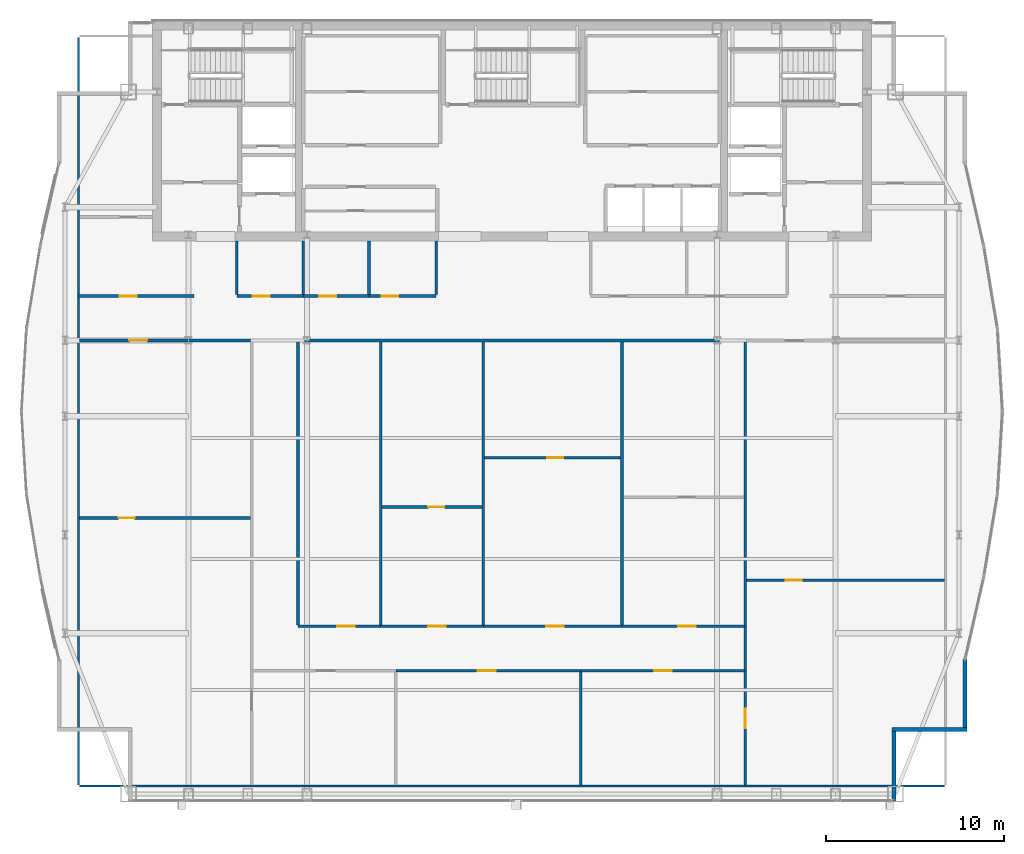
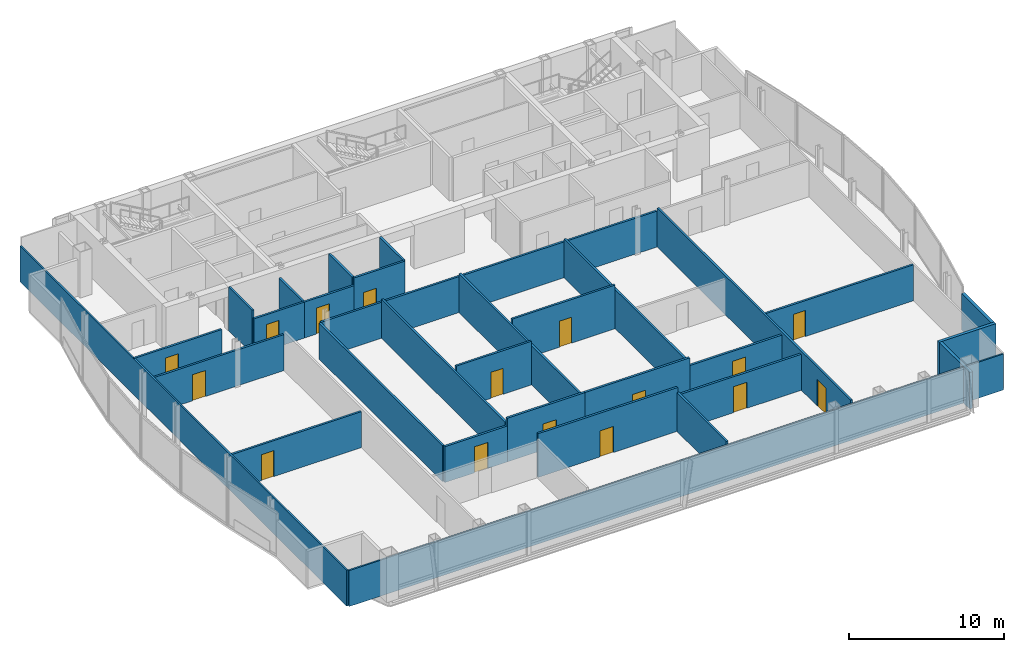
# One storey, part 24 of 29: 31 walls, 16 doors, 16 openings.
"""IFC4 building model written with IfcOpenShell, lengths in metres."""

from ifc_helpers import new_model, si_unit, direction, frame, frame_2d, origin, place, context, subcontext, project, spatial, rectangle, extrude, material, layer, layer_set, type_object, element, fill, save


model = new_model("IFC4")

# Units and contexts
model_context = context("Model", 3, precision=1e-05, world=origin(), true_north=direction((0.0, 1.0)))
body_context = subcontext(model_context, "Body", "Model", "MODEL_VIEW")
ifc_project = project(units=[si_unit("LENGTHUNIT", "METRE"), si_unit("AREAUNIT", "SQUARE_METRE"), si_unit("VOLUMEUNIT", "CUBIC_METRE"), si_unit("PLANEANGLEUNIT", "RADIAN"), si_unit("MASSUNIT", "GRAM", prefix="KILO")], contexts=[model_context])

# Site, building, storey
site_placement = place(None, origin())
site = spatial("IfcSite", under=ifc_project, at=site_placement, CompositionType="ELEMENT")
building_placement = place(site_placement, origin())
building = spatial("IfcBuilding", under=site, at=building_placement, Name="Khoronbel Lancet Exchange", CompositionType="ELEMENT")
storey_placement = place(building_placement, frame((0.0, 0.0, 318.199951171875)))
storey = spatial("IfcBuildingStorey", under=building, at=storey_placement, Name="L82", CompositionType="ELEMENT", Elevation=318.199951171875)

# Walls
ifc_material_1 = material(Name="Precast concrete C40/50", Category="concrete")
ifc_layer_1 = layer(ifc_material_1, 0.25, Name="Precast concrete C40/50")
ifc_layer_set_1 = layer_set([ifc_layer_1], Name="Precast concrete C40/50")
wall_type_1 = type_object("IfcWallType", Name="WL-EXT250", PredefinedType="SOLIDWALL", material=ifc_layer_set_1)
wall_1_placement = place(storey_placement, frame((61.9599609375, 17.72998046875, 0.0), z_axis=(0.0, 0.0, 1.0), x_axis=(0.0, -1.0, 0.0)))
element("IfcWall", 1, at=wall_1_placement, inside=storey, type_object=wall_type_1, Name="Level L82 notched-corner limestone pier 23", PredefinedType="SOLIDWALL", context=body_context, shape_type="SweptSolid", body=[
    extrude(rectangle(XDim=3.830078125, YDim=0.219970703125, at=frame_2d((1.9150390625, 0.0))), origin(), (0.0, 0.0, 1.0), 2.880126953125),
])
wall_2_placement = place(storey_placement, frame((62.070068359375, 13.7900390625, 0.0), z_axis=(0.0, 0.0, 1.0), x_axis=(-1.0, 0.0, 0.0)))
element("IfcWall", 2, at=wall_2_placement, inside=storey, type_object=wall_type_1, Name="Level L82 notched-corner limestone pier 24", PredefinedType="SOLIDWALL", context=body_context, shape_type="SweptSolid", body=[
    extrude(rectangle(XDim=4.219970703125, YDim=0.219970703125, at=frame_2d((2.10986328125, 0.0))), origin(), (0.0, 0.0, 1.0), 2.880126953125),
])
wall_3_placement = place(storey_placement, frame((57.9599609375, 13.679931640625, 0.0), z_axis=(0.0, 0.0, 1.0), x_axis=(0.0, -1.0, 0.0)))
element("IfcWall", 3, at=wall_3_placement, inside=storey, type_object=wall_type_1, Name="Level L82 notched-corner limestone pier 25", PredefinedType="SOLIDWALL", context=body_context, shape_type="SweptSolid", body=[
    extrude(rectangle(XDim=3.909912109375, YDim=0.219970703125, at=frame_2d((1.955078125, 0.0))), origin(), (0.0, 0.0, 1.0), 2.880126953125),
])
ifc_material_2 = material(Name="Acoustic Metal-Stud & Mineral-Wool Gypsum Partition 120 mm", Category="gypsum")
ifc_layer_2 = layer(ifc_material_2, 0.1201171875, Name="Acoustic Metal-Stud & Mineral-Wool Gypsum Partition 120 mm")
ifc_layer_set_2 = layer_set([ifc_layer_2], Name="Acoustic Metal-Stud & Mineral-Wool Gypsum Partition 120 mm")
wall_type_2 = type_object("IfcWallType", Name="WL-PRT120", PredefinedType="PARTITIONING", material=ifc_layer_set_2)
wall_4_placement = place(storey_placement, frame((20.949951171875, 38.280029296875, 0.0), z_axis=(0.0, 0.0, 1.0), x_axis=(0.0, 1.0, 0.0)))
element("IfcWall", 4, at=wall_4_placement, inside=storey, type_object=wall_type_2, Name="Level L82 interior partition PW-WC-0", PredefinedType="PARTITIONING", context=body_context, shape_type="SweptSolid", body=[
    extrude(rectangle(XDim=3.02001953125, YDim=0.14990234375, at=frame_2d((1.510009765625, 0.0))), origin(), (0.0, 0.0, 1.0), 3.43994140625),
])
wall_5_placement = place(storey_placement, frame((24.699951171875, 38.280029296875, 0.0), z_axis=(0.0, 0.0, 1.0), x_axis=(0.0, 1.0, 0.0)))
element("IfcWall", 5, at=wall_5_placement, inside=storey, type_object=wall_type_2, Name="Level L82 interior partition PW-WC-1", PredefinedType="PARTITIONING", context=body_context, shape_type="SweptSolid", body=[
    extrude(rectangle(XDim=3.02001953125, YDim=0.14990234375, at=frame_2d((1.510009765625, 0.0))), origin(), (0.0, 0.0, 1.0), 2.830078125),
])
for number, where, z_axis, x_axis, name in (
    (6, (28.39990234375, 38.280029296875, 0.0), (0.0, 0.0, 1.0), (0.0, 1.0, 0.0), "Level L82 interior partition PW-WC-2"),
    (7, (32.179931640625, 38.280029296875, 0.0), (0.0, 0.0, 1.0), (0.0, 1.0, 0.0), "Level L82 interior partition PW-WC-3"),
):
    element("IfcWall", number, at=place(storey_placement, frame(where, z_axis=z_axis, x_axis=x_axis)), inside=storey, type_object=wall_type_2, Name=name, PredefinedType="PARTITIONING", context=body_context, shape_type="SweptSolid", body=[
        extrude(rectangle(XDim=3.02001953125, YDim=0.14990234375, at=frame_2d((1.510009765625, 0.0))), origin(), (0.0, 0.0, 1.0), 3.43994140625),
    ])

# Wall, opening, door
wall_6_placement = place(storey_placement, frame((12.094970703125, 25.699951171875, 0.0), z_axis=(0.0, 0.0, 1.0), x_axis=(1.0, 0.0, 0.0)))
wall_6 = element("IfcWall", 8, at=wall_6_placement, inside=storey, type_object=wall_type_2, Name="Level L82 interior partition PW-Z4-WH", PredefinedType="PARTITIONING", context=body_context, shape_type="SweptSolid", body=[
    extrude(rectangle(XDim=9.625, YDim=0.14990234375, at=frame_2d((4.8125, 0.0))), origin(), (0.0, 0.0, 1.0), 2.830078125),
])
opening_1_placement = place(wall_6_placement, frame((2.199951171875, 0.0, 0.0)))
opening_1 = element("IfcOpeningElement", 9, at=opening_1_placement, cuts=wall_6, Name="Opening D5", PredefinedType="OPENING", context=body_context, shape_type="SweptSolid", body=[
    extrude(rectangle(XDim=0.89990234375, YDim=2.050048828125, at=frame_2d((0.449951171875, 1.02490234375))), frame((0.0, 0.0849609375, 0.0), z_axis=(0.0, -1.0, 0.0), x_axis=(1.0, 0.0, 0.0)), (0.0, 0.0, 1.0), 0.169921875),
])
ifc_material_3 = material(Name="Acoustic Timber Pantry & Support Door", Category="wood")
door_type_1 = type_object("IfcDoorType", Name="DR-D5", OperationType="NOTDEFINED", PredefinedType="DOOR", material=ifc_material_3)
door_1_placement = place(opening_1_placement, origin())
door_1 = element("IfcDoor", 10, at=door_1_placement, inside=storey, type_object=door_type_1, Name="West lens inner door L82-1", OperationType="SINGLE_SWING_LEFT", OverallHeight=2.050048828125, OverallWidth=0.89990234375, PredefinedType="DOOR", context=body_context, shape_type="SweptSolid", body=[
    extrude(rectangle(XDim=0.89990234375, YDim=2.050048828125, at=frame_2d((0.449951171875, 1.02490234375))), frame((0.0, 0.02490234375, 0.0), z_axis=(0.0, -1.0, 0.0), x_axis=(1.0, 0.0, 0.0)), (0.0, 0.0, 1.0), 0.050048828125),
])
fill(opening_1, door_1)

wall_7_placement = place(storey_placement, frame((49.659912109375, 22.199951171875, 0.0), z_axis=(0.0, 0.0, 1.0), x_axis=(1.0, 0.0, 0.0)))
wall_7 = element("IfcWall", 11, at=wall_7_placement, inside=storey, type_object=wall_type_2, Name="Level L82 interior partition PW-Z4-EH", PredefinedType="PARTITIONING", context=body_context, shape_type="SweptSolid", body=[
    extrude(rectangle(XDim=11.14501953125, YDim=0.14990234375, at=frame_2d((5.572509765625, 0.0))), origin(), (0.0, 0.0, 1.0), 2.830078125),
])
opening_2_placement = place(wall_7_placement, frame((2.199951171875, 0.0, 0.0)))
opening_2 = element("IfcOpeningElement", 12, at=opening_2_placement, cuts=wall_7, Name="Opening D5", PredefinedType="OPENING", context=body_context, shape_type="SweptSolid", body=[
    extrude(rectangle(XDim=0.89990234375, YDim=2.050048828125, at=frame_2d((0.449951171875, 1.02490234375))), frame((0.0, 0.0849609375, 0.0), z_axis=(0.0, -1.0, 0.0), x_axis=(1.0, 0.0, 0.0)), (0.0, 0.0, 1.0), 0.169921875),
])
door_2_placement = place(opening_2_placement, origin())
door_2 = element("IfcDoor", 13, at=door_2_placement, inside=storey, type_object=door_type_1, Name="East lens inner door L82-1", OperationType="SINGLE_SWING_RIGHT", OverallHeight=2.050048828125, OverallWidth=0.89990234375, PredefinedType="DOOR", context=body_context, shape_type="SweptSolid", body=[
    extrude(rectangle(XDim=0.89990234375, YDim=2.050048828125, at=frame_2d((0.449951171875, 1.02490234375))), frame((0.0, 0.02490234375, 0.0), z_axis=(0.0, -1.0, 0.0), x_axis=(1.0, 0.0, 0.0)), (0.0, 0.0, 1.0), 0.050048828125),
])
fill(opening_2, door_2)

wall_8_placement = place(storey_placement, frame((29.13623046875, 26.317138671875, 0.0), z_axis=(0.0, 0.0, 1.0), x_axis=(1.0, 0.0, 0.0)))
wall_8 = element("IfcWall", 14, at=wall_8_placement, inside=storey, type_object=wall_type_2, Name="Level L82 interior partition PW-Z4C-H2", PredefinedType="PARTITIONING", context=body_context, shape_type="SweptSolid", body=[
    extrude(rectangle(XDim=5.615234375, YDim=0.14990234375, at=frame_2d((2.8076171875, 0.0))), origin(), (0.0, 0.0, 1.0), 3.43994140625),
])
opening_3_placement = place(wall_8_placement, frame((2.598876953125, 0.0, 0.0)))
opening_3 = element("IfcOpeningElement", 15, at=opening_3_placement, cuts=wall_8, Name="Opening D5", PredefinedType="OPENING", context=body_context, shape_type="SweptSolid", body=[
    extrude(rectangle(XDim=0.89990234375, YDim=2.050048828125, at=frame_2d((0.449951171875, 1.02490234375))), frame((0.0, 0.0849609375, 0.0), z_axis=(0.0, -1.0, 0.0), x_axis=(1.0, 0.0, 0.0)), (0.0, 0.0, 1.0), 0.169921875),
])
door_3_placement = place(opening_3_placement, origin())
door_3 = element("IfcDoor", 16, at=door_3_placement, inside=storey, type_object=door_type_1, Name="Z4C inner door 2 L82-1", OperationType="SINGLE_SWING_LEFT", OverallHeight=2.050048828125, OverallWidth=0.89990234375, PredefinedType="DOOR", context=body_context, shape_type="SweptSolid", body=[
    extrude(rectangle(XDim=0.89990234375, YDim=2.050048828125, at=frame_2d((0.449951171875, 1.02490234375))), frame((0.0, 0.02490234375, 0.0), z_axis=(0.0, -1.0, 0.0), x_axis=(1.0, 0.0, 0.0)), (0.0, 0.0, 1.0), 0.050048828125),
])
fill(opening_3, door_3)

wall_9_placement = place(storey_placement, frame((34.91162109375, 29.090087890625, 0.0), z_axis=(0.0, 0.0, 1.0), x_axis=(1.0, 0.0, 0.0)))
wall_9 = element("IfcWall", 17, at=wall_9_placement, inside=storey, type_object=wall_type_2, Name="Level L82 interior partition PW-Z4C-H3", PredefinedType="PARTITIONING", context=body_context, shape_type="SweptSolid", body=[
    extrude(rectangle(XDim=7.657958984375, YDim=0.14990234375, at=frame_2d((3.8291015625, 0.0))), origin(), (0.0, 0.0, 1.0), 3.43994140625),
])
opening_4_placement = place(wall_9_placement, frame((3.518310546875, 0.0, 0.0)))
opening_4 = element("IfcOpeningElement", 18, at=opening_4_placement, cuts=wall_9, Name="Opening D5", PredefinedType="OPENING", context=body_context, shape_type="SweptSolid", body=[
    extrude(rectangle(XDim=0.89990234375, YDim=2.050048828125, at=frame_2d((0.449951171875, 1.02490234375))), frame((0.0, 0.0849609375, 0.0), z_axis=(0.0, -1.0, 0.0), x_axis=(1.0, 0.0, 0.0)), (0.0, 0.0, 1.0), 0.169921875),
])
door_4_placement = place(opening_4_placement, origin())
door_4 = element("IfcDoor", 19, at=door_4_placement, inside=storey, type_object=door_type_1, Name="Z4C inner door 3 L82-1", OperationType="SINGLE_SWING_LEFT", OverallHeight=2.050048828125, OverallWidth=0.89990234375, PredefinedType="DOOR", context=body_context, shape_type="SweptSolid", body=[
    extrude(rectangle(XDim=0.89990234375, YDim=2.050048828125, at=frame_2d((0.449951171875, 1.02490234375))), frame((0.0, 0.02490234375, 0.0), z_axis=(0.0, -1.0, 0.0), x_axis=(1.0, 0.0, 0.0)), (0.0, 0.0, 1.0), 0.050048828125),
])
fill(opening_4, door_4)

# Walls
wall_10_placement = place(storey_placement, frame((12.030029296875, 10.6650390625, 0.0), z_axis=(0.0, 0.0, 1.0), x_axis=(0.0, 1.0, 0.0)))
element("IfcWall", 20, at=wall_10_placement, inside=storey, type_object=wall_type_2, Name="Level L82 interior partition PW-LIN-W", PredefinedType="PARTITIONING", context=body_context, shape_type="SweptSolid", body=[
    extrude(rectangle(XDim=42.10986328125, YDim=0.1201171875, at=frame_2d((21.054931640625, 0.0))), origin(), (0.0, 0.0, 1.0), 2.830078125),
])
wall_11_placement = place(storey_placement, frame((12.094970703125, 10.60009765625, 0.0), z_axis=(0.0, 0.0, 1.0), x_axis=(1.0, 0.0, 0.0)))
element("IfcWall", 21, at=wall_11_placement, inside=storey, type_object=wall_type_2, Name="Level L82 interior partition PW-LIN-S", PredefinedType="PARTITIONING", context=body_context, shape_type="SweptSolid", body=[
    extrude(rectangle(XDim=48.7099609375, YDim=0.1201171875, at=frame_2d((24.35498046875, 0.0))), origin(), (0.0, 0.0, 1.0), 2.830078125),
])

# Wall, opening, door
ifc_material_4 = material(Name="Fire-Rated Twin-Stud Acoustic Gypsum Partition 150 mm", Category="gypsum")
ifc_layer_3 = layer(ifc_material_4, 0.14990234375, Name="Fire-Rated Twin-Stud Acoustic Gypsum Partition 150 mm")
ifc_layer_set_3 = layer_set([ifc_layer_3], Name="Fire-Rated Twin-Stud Acoustic Gypsum Partition 150 mm")
wall_type_3 = type_object("IfcWallType", Name="WL-PRT150C", PredefinedType="PARTITIONING", material=ifc_layer_set_3)
wall_12_placement = place(storey_placement, frame((20.949951171875, 38.199951171875, 0.0), z_axis=(0.0, 0.0, 1.0), x_axis=(1.0, 0.0, 0.0)))
wall_12 = element("IfcWall", 22, at=wall_12_placement, inside=storey, type_object=wall_type_3, Name="Level L82 interior partition PW-WC-S1", PredefinedType="PARTITIONING", context=body_context, shape_type="SweptSolid", body=[
    extrude(rectangle(XDim=3.75, YDim=0.14990234375, at=frame_2d((1.875, 0.0))), origin(), (0.0, 0.0, 1.0), 2.830078125),
])
opening_5_placement = place(wall_12_placement, frame((0.89990234375, 0.0, 0.0)))
opening_5 = element("IfcOpeningElement", 23, at=opening_5_placement, cuts=wall_12, Name="Opening D4", PredefinedType="OPENING", context=body_context, shape_type="SweptSolid", body=[
    extrude(rectangle(XDim=0.949951171875, YDim=2.050048828125, at=frame_2d((0.47509765625, 1.02490234375))), frame((0.0, 0.0849609375, 0.0), z_axis=(0.0, -1.0, 0.0), x_axis=(1.0, 0.0, 0.0)), (0.0, 0.0, 1.0), 0.169921875),
])
ifc_material_5 = material(Name="Moisture-Resistant HPL Washroom Door", Category="wood")
door_type_2 = type_object("IfcDoorType", Name="DR-D4", OperationType="NOTDEFINED", PredefinedType="DOOR", material=ifc_material_5)
door_5_placement = place(opening_5_placement, origin())
door_5 = element("IfcDoor", 24, at=door_5_placement, inside=storey, type_object=door_type_2, Name="Male washroom door L82-1", OperationType="SINGLE_SWING_RIGHT", OverallHeight=2.050048828125, OverallWidth=0.949951171875, PredefinedType="DOOR", context=body_context, shape_type="SweptSolid", body=[
    extrude(rectangle(XDim=0.949951171875, YDim=2.050048828125, at=frame_2d((0.47509765625, 1.02490234375))), frame((0.0, 0.02490234375, 0.0), z_axis=(0.0, -1.0, 0.0), x_axis=(1.0, 0.0, 0.0)), (0.0, 0.0, 1.0), 0.050048828125),
])
fill(opening_5, door_5)

wall_13_placement = place(storey_placement, frame((24.699951171875, 38.199951171875, 0.0), z_axis=(0.0, 0.0, 1.0), x_axis=(1.0, 0.0, 0.0)))
wall_13 = element("IfcWall", 25, at=wall_13_placement, inside=storey, type_object=wall_type_3, Name="Level L82 interior partition PW-WC-S2", PredefinedType="PARTITIONING", context=body_context, shape_type="SweptSolid", body=[
    extrude(rectangle(XDim=3.699951171875, YDim=0.14990234375, at=frame_2d((1.85009765625, 0.0))), origin(), (0.0, 0.0, 1.0), 2.830078125),
])
opening_6_placement = place(wall_13_placement, frame((0.89990234375, 0.0, 0.0)))
opening_6 = element("IfcOpeningElement", 26, at=opening_6_placement, cuts=wall_13, Name="Opening D4", PredefinedType="OPENING", context=body_context, shape_type="SweptSolid", body=[
    extrude(rectangle(XDim=0.949951171875, YDim=2.050048828125, at=frame_2d((0.47509765625, 1.02490234375))), frame((0.0, 0.0849609375, 0.0), z_axis=(0.0, -1.0, 0.0), x_axis=(1.0, 0.0, 0.0)), (0.0, 0.0, 1.0), 0.169921875),
])
door_6_placement = place(opening_6_placement, origin())
door_6 = element("IfcDoor", 27, at=door_6_placement, inside=storey, type_object=door_type_2, Name="Female washroom door L82-1", OperationType="SINGLE_SWING_LEFT", OverallHeight=2.050048828125, OverallWidth=0.949951171875, PredefinedType="DOOR", context=body_context, shape_type="SweptSolid", body=[
    extrude(rectangle(XDim=0.949951171875, YDim=2.050048828125, at=frame_2d((0.47509765625, 1.02490234375))), frame((0.0, 0.02490234375, 0.0), z_axis=(0.0, -1.0, 0.0), x_axis=(1.0, 0.0, 0.0)), (0.0, 0.0, 1.0), 0.050048828125),
])
fill(opening_6, door_6)

wall_14_placement = place(storey_placement, frame((28.39990234375, 38.199951171875, 0.0), z_axis=(0.0, 0.0, 1.0), x_axis=(1.0, 0.0, 0.0)))
wall_14 = element("IfcWall", 28, at=wall_14_placement, inside=storey, type_object=wall_type_3, Name="Level L82 interior partition PW-WC-S3", PredefinedType="PARTITIONING", context=body_context, shape_type="SweptSolid", body=[
    extrude(rectangle(XDim=3.780029296875, YDim=0.14990234375, at=frame_2d((1.89013671875, 0.0))), origin(), (0.0, 0.0, 1.0), 3.43994140625),
])
opening_7_placement = place(wall_14_placement, frame((0.699951171875, 0.0, 0.0)))
opening_7 = element("IfcOpeningElement", 29, at=opening_7_placement, cuts=wall_14, Name="Opening D4", PredefinedType="OPENING", context=body_context, shape_type="SweptSolid", body=[
    extrude(rectangle(XDim=0.949951171875, YDim=2.050048828125, at=frame_2d((0.47509765625, 1.02490234375))), frame((0.0, 0.0849609375, 0.0), z_axis=(0.0, -1.0, 0.0), x_axis=(1.0, 0.0, 0.0)), (0.0, 0.0, 1.0), 0.169921875),
])
door_7_placement = place(opening_7_placement, origin())
door_7 = element("IfcDoor", 30, at=door_7_placement, inside=storey, type_object=door_type_2, Name="Accessible WC door L82-1", OperationType="SINGLE_SWING_RIGHT", OverallHeight=2.050048828125, OverallWidth=0.949951171875, PredefinedType="DOOR", context=body_context, shape_type="SweptSolid", body=[
    extrude(rectangle(XDim=0.949951171875, YDim=2.050048828125, at=frame_2d((0.47509765625, 1.02490234375))), frame((0.0, 0.02490234375, 0.0), z_axis=(0.0, -1.0, 0.0), x_axis=(1.0, 0.0, 0.0)), (0.0, 0.0, 1.0), 0.050048828125),
])
fill(opening_7, door_7)

wall_15_placement = place(storey_placement, frame((12.030029296875, 38.199951171875, 0.0), z_axis=(0.0, 0.0, 1.0), x_axis=(1.0, 0.0, 0.0)))
wall_15 = element("IfcWall", 31, at=wall_15_placement, inside=storey, type_object=wall_type_3, Name="Level L82 interior partition PW-NW-S", PredefinedType="PARTITIONING", context=body_context, shape_type="SweptSolid", body=[
    extrude(rectangle(XDim=6.52001953125, YDim=0.14990234375, at=frame_2d((3.260009765625, 0.0))), origin(), (0.0, 0.0, 1.0), 2.830078125),
])
opening_8_placement = place(wall_15_placement, frame((2.320068359375, 0.0, 0.0)))
opening_8 = element("IfcOpeningElement", 32, at=opening_8_placement, cuts=wall_15, Name="Opening D1", PredefinedType="OPENING", context=body_context, shape_type="SweptSolid", body=[
    extrude(rectangle(XDim=0.949951171875, YDim=2.050048828125, at=frame_2d((0.47509765625, 1.02490234375))), frame((0.0, 0.0849609375, 0.0), z_axis=(0.0, -1.0, 0.0), x_axis=(1.0, 0.0, 0.0)), (0.0, 0.0, 1.0), 0.169921875),
])
ifc_material_6 = material(Name="Acoustic Veneered Timber & Bronze Frame Door", Category="wood")
door_type_3 = type_object("IfcDoorType", Name="DR-D1", OperationType="NOTDEFINED", PredefinedType="DOOR", material=ifc_material_6)
door_8_placement = place(opening_8_placement, origin())
door_8 = element("IfcDoor", 33, at=door_8_placement, inside=storey, type_object=door_type_3, Name="NW corner room door L82-1", OperationType="SINGLE_SWING_LEFT", OverallHeight=2.050048828125, OverallWidth=0.949951171875, PredefinedType="DOOR", context=body_context, shape_type="SweptSolid", body=[
    extrude(rectangle(XDim=0.949951171875, YDim=2.050048828125, at=frame_2d((0.47509765625, 1.02490234375))), frame((0.0, 0.02490234375, 0.0), z_axis=(0.0, -1.0, 0.0), x_axis=(1.0, 0.0, 0.0)), (0.0, 0.0, 1.0), 0.050048828125),
])
fill(opening_8, door_8)

wall_16_placement = place(storey_placement, frame((12.094970703125, 35.699951171875, 0.0), z_axis=(0.0, 0.0, 1.0), x_axis=(1.0, 0.0, 0.0)))
wall_16 = element("IfcWall", 34, at=wall_16_placement, inside=storey, type_object=wall_type_3, Name="Level L82 interior partition PW-Z4-WN", PredefinedType="PARTITIONING", context=body_context, shape_type="SweptSolid", body=[
    extrude(rectangle(XDim=9.625, YDim=0.14990234375, at=frame_2d((4.8125, 0.0))), origin(), (0.0, 0.0, 1.0), 2.830078125),
])
opening_9_placement = place(wall_16_placement, frame((2.800048828125, 0.0, 0.0)))
opening_9 = element("IfcOpeningElement", 35, at=opening_9_placement, cuts=wall_16, Name="Opening D2", PredefinedType="OPENING", context=body_context, shape_type="SweptSolid", body=[
    extrude(rectangle(XDim=1.0, YDim=2.050048828125, at=frame_2d((0.5, 1.02490234375))), frame((0.0, 0.0849609375, 0.0), z_axis=(0.0, -1.0, 0.0), x_axis=(1.0, 0.0, 0.0)), (0.0, 0.0, 1.0), 0.169921875),
])
door_type_4 = type_object("IfcDoorType", Name="DR-D2", OperationType="NOTDEFINED", PredefinedType="DOOR", material=ifc_material_6)
door_9_placement = place(opening_9_placement, origin())
door_9 = element("IfcDoor", 36, at=door_9_placement, inside=storey, type_object=door_type_4, Name="West lens north door L82-1", OperationType="SINGLE_SWING_RIGHT", OverallHeight=2.050048828125, OverallWidth=1.0, PredefinedType="DOOR", context=body_context, shape_type="SweptSolid", body=[
    extrude(rectangle(XDim=1.0, YDim=2.050048828125, at=frame_2d((0.5, 1.02490234375))), frame((0.0, 0.02490234375, 0.0), z_axis=(0.0, -1.0, 0.0), x_axis=(1.0, 0.0, 0.0)), (0.0, 0.0, 1.0), 0.050048828125),
])
fill(opening_9, door_9)

# Wall
wall_17_placement = place(storey_placement, frame((24.39990234375, 19.68505859375, 0.0), z_axis=(0.0, 0.0, 1.0), x_axis=(0.0, 1.0, 0.0)))
element("IfcWall", 37, at=wall_17_placement, inside=storey, type_object=wall_type_3, Name="Level L82 interior partition PW-Z4-WE", PredefinedType="PARTITIONING", context=body_context, shape_type="SweptSolid", body=[
    extrude(rectangle(XDim=15.93505859375, YDim=0.14990234375, at=frame_2d((7.967529296875, 0.0))), origin(), (0.0, 0.0, 1.0), 2.830078125),
])

# Wall, opening, door
wall_18_placement = place(storey_placement, frame((49.580078125, 10.6650390625, 0.0), z_axis=(0.0, 0.0, 1.0), x_axis=(0.0, 1.0, 0.0)))
wall_18 = element("IfcWall", 38, at=wall_18_placement, inside=storey, type_object=wall_type_3, Name="Level L82 interior partition PW-Z4-PE", PredefinedType="PARTITIONING", context=body_context, shape_type="SweptSolid", body=[
    extrude(rectangle(XDim=24.955078125, YDim=0.14990234375, at=frame_2d((12.4775390625, 0.0))), origin(), (0.0, 0.0, 1.0), 3.070068359375),
])
opening_10_placement = place(wall_18_placement, frame((3.199951171875, 0.0, 0.0)))
opening_10 = element("IfcOpeningElement", 39, at=opening_10_placement, cuts=wall_18, Name="Opening D6", PredefinedType="OPENING", context=body_context, shape_type="SweptSolid", body=[
    extrude(rectangle(XDim=1.10009765625, YDim=2.10009765625, at=frame_2d((0.550048828125, 1.050048828125))), frame((0.0, 0.0849609375, 0.0), z_axis=(0.0, -1.0, 0.0), x_axis=(1.0, 0.0, 0.0)), (0.0, 0.0, 1.0), 0.169921875),
])
ifc_material_7 = material(Name="Acoustic Bronze-Veneer Executive Suite Door", Category="wood")
door_type_5 = type_object("IfcDoorType", Name="DR-D6", OperationType="NOTDEFINED", PredefinedType="DOOR", material=ifc_material_7)
door_10_placement = place(opening_10_placement, origin())
door_10 = element("IfcDoor", 40, at=door_10_placement, inside=storey, type_object=door_type_5, Name="East lens south door L82-1", OperationType="SINGLE_SWING_RIGHT", OverallHeight=2.10009765625, OverallWidth=1.10009765625, PredefinedType="DOOR", context=body_context, shape_type="SweptSolid", body=[
    extrude(rectangle(XDim=1.10009765625, YDim=2.10009765625, at=frame_2d((0.550048828125, 1.050048828125))), frame((0.0, 0.02490234375, 0.0), z_axis=(0.0, -1.0, 0.0), x_axis=(1.0, 0.0, 0.0)), (0.0, 0.0, 1.0), 0.050048828125),
])
fill(opening_10, door_10)

# Walls
wall_19_placement = place(storey_placement, frame((24.47998046875, 35.699951171875, 0.0), z_axis=(0.0, 0.0, 1.0), x_axis=(1.0, 0.0, 0.0)))
element("IfcWall", 41, at=wall_19_placement, inside=storey, type_object=wall_type_3, Name="Level L82 interior partition PW-Z4-EN1", PredefinedType="PARTITIONING", context=body_context, shape_type="SweptSolid", body=[
    extrude(rectangle(XDim=25.02001953125, YDim=0.14990234375, at=frame_2d((12.510009765625, 0.0))), origin(), (0.0, 0.0, 1.0), 2.830078125),
])
for number, where, z_axis, x_axis, name in (
    (42, (29.056396484375, 19.68505859375, 0.0), (0.0, 0.0, 1.0), (0.0, 1.0, 0.0), "Level L82 interior partition PW-Z4C-V1"),
    (43, (34.83154296875, 19.68505859375, 0.0), (0.0, 0.0, 1.0), (0.0, 1.0, 0.0), "Level L82 interior partition PW-Z4C-V2"),
    (44, (42.649658203125, 19.68505859375, 0.0), (0.0, 0.0, 1.0), (0.0, 1.0, 0.0), "Level L82 interior partition PW-Z4C-V3"),
):
    element("IfcWall", number, at=place(storey_placement, frame(where, z_axis=z_axis, x_axis=x_axis)), inside=storey, type_object=wall_type_3, Name=name, PredefinedType="PARTITIONING", context=body_context, shape_type="SweptSolid", body=[
        extrude(rectangle(XDim=15.93505859375, YDim=0.14990234375, at=frame_2d((7.967529296875, 0.0))), origin(), (0.0, 0.0, 1.0), 3.070068359375),
    ])
wall_20_placement = place(storey_placement, frame((40.320068359375, 10.6650390625, 0.0), z_axis=(0.0, 0.0, 1.0), x_axis=(0.0, 1.0, 0.0)))
element("IfcWall", 45, at=wall_20_placement, inside=storey, type_object=wall_type_3, Name="Level L82 interior partition PW-Z4S-V2", PredefinedType="PARTITIONING", context=body_context, shape_type="SweptSolid", body=[
    extrude(rectangle(XDim=6.349853515625, YDim=0.14990234375, at=frame_2d((3.1748046875, 0.0))), origin(), (0.0, 0.0, 1.0), 3.070068359375),
])

# Wall, opening, door
ifc_material_8 = material(Name="Fire-Rated Twin-Stud Acoustic Gypsum Partition 160 mm", Category="gypsum")
ifc_layer_4 = layer(ifc_material_8, 0.159912109375, Name="Fire-Rated Twin-Stud Acoustic Gypsum Partition 160 mm")
ifc_layer_set_4 = layer_set([ifc_layer_4], Name="Fire-Rated Twin-Stud Acoustic Gypsum Partition 160 mm")
wall_type_4 = type_object("IfcWallType", Name="WL-PRT160C", PredefinedType="PARTITIONING", material=ifc_layer_set_4)
wall_21_placement = place(storey_placement, frame((24.39990234375, 19.60009765625, 0.0), z_axis=(0.0, 0.0, 1.0), x_axis=(1.0, 0.0, 0.0)))
wall_21 = element("IfcWall", 46, at=wall_21_placement, inside=storey, type_object=wall_type_4, Name="Level L82 interior partition PW-Z4C-COR1", PredefinedType="PARTITIONING", context=body_context, shape_type="SweptSolid", body=[
    extrude(rectangle(XDim=4.656494140625, YDim=0.159912109375, at=frame_2d((2.328125, 0.0))), origin(), (0.0, 0.0, 1.0), 2.830078125),
])
opening_11_placement = place(wall_21_placement, frame((2.20556640625, 0.0, 0.0)))
opening_11 = element("IfcOpeningElement", 47, at=opening_11_placement, cuts=wall_21, Name="Opening D2", PredefinedType="OPENING", context=body_context, shape_type="SweptSolid", body=[
    extrude(rectangle(XDim=1.0, YDim=2.050048828125, at=frame_2d((0.5, 1.02490234375))), frame((0.0, 0.08984375, 0.0), z_axis=(0.0, -1.0, 0.0), x_axis=(1.0, 0.0, 0.0)), (0.0, 0.0, 1.0), 0.179931640625),
])
door_11_placement = place(opening_11_placement, origin())
door_11 = element("IfcDoor", 48, at=door_11_placement, inside=storey, type_object=door_type_4, Name="Z4C bay 1 door L82-1", OperationType="SINGLE_SWING_LEFT", OverallHeight=2.050048828125, OverallWidth=1.0, PredefinedType="DOOR", context=body_context, shape_type="SweptSolid", body=[
    extrude(rectangle(XDim=1.0, YDim=2.050048828125, at=frame_2d((0.5, 1.02490234375))), frame((0.0, 0.02490234375, 0.0), z_axis=(0.0, -1.0, 0.0), x_axis=(1.0, 0.0, 0.0)), (0.0, 0.0, 1.0), 0.050048828125),
])
fill(opening_11, door_11)

wall_22_placement = place(storey_placement, frame((29.056396484375, 19.60009765625, 0.0), z_axis=(0.0, 0.0, 1.0), x_axis=(1.0, 0.0, 0.0)))
wall_22 = element("IfcWall", 49, at=wall_22_placement, inside=storey, type_object=wall_type_4, Name="Level L82 interior partition PW-Z4C-COR2", PredefinedType="PARTITIONING", context=body_context, shape_type="SweptSolid", body=[
    extrude(rectangle(XDim=5.775146484375, YDim=0.159912109375, at=frame_2d((2.8876953125, 0.0))), origin(), (0.0, 0.0, 1.0), 3.43994140625),
])
opening_12_placement = place(wall_22_placement, frame((2.675537109375, 0.0, 0.0)))
opening_12 = element("IfcOpeningElement", 50, at=opening_12_placement, cuts=wall_22, Name="Opening D2", PredefinedType="OPENING", context=body_context, shape_type="SweptSolid", body=[
    extrude(rectangle(XDim=1.0, YDim=2.050048828125, at=frame_2d((0.5, 1.02490234375))), frame((0.0, 0.08984375, 0.0), z_axis=(0.0, -1.0, 0.0), x_axis=(1.0, 0.0, 0.0)), (0.0, 0.0, 1.0), 0.179931640625),
])
door_12_placement = place(opening_12_placement, origin())
door_12 = element("IfcDoor", 51, at=door_12_placement, inside=storey, type_object=door_type_4, Name="Z4C bay 2 door L82-1", OperationType="SINGLE_SWING_RIGHT", OverallHeight=2.050048828125, OverallWidth=1.0, PredefinedType="DOOR", context=body_context, shape_type="SweptSolid", body=[
    extrude(rectangle(XDim=1.0, YDim=2.050048828125, at=frame_2d((0.5, 1.02490234375))), frame((0.0, 0.02490234375, 0.0), z_axis=(0.0, -1.0, 0.0), x_axis=(1.0, 0.0, 0.0)), (0.0, 0.0, 1.0), 0.050048828125),
])
fill(opening_12, door_12)

wall_23_placement = place(storey_placement, frame((34.83154296875, 19.60009765625, 0.0), z_axis=(0.0, 0.0, 1.0), x_axis=(1.0, 0.0, 0.0)))
wall_23 = element("IfcWall", 52, at=wall_23_placement, inside=storey, type_object=wall_type_4, Name="Level L82 interior partition PW-Z4C-COR3", PredefinedType="PARTITIONING", context=body_context, shape_type="SweptSolid", body=[
    extrude(rectangle(XDim=7.818115234375, YDim=0.159912109375, at=frame_2d((3.9091796875, 0.0))), origin(), (0.0, 0.0, 1.0), 3.43994140625),
])
opening_13_placement = place(wall_23_placement, frame((3.53369140625, 0.0, 0.0)))
opening_13 = element("IfcOpeningElement", 53, at=opening_13_placement, cuts=wall_23, Name="Opening D2", PredefinedType="OPENING", context=body_context, shape_type="SweptSolid", body=[
    extrude(rectangle(XDim=1.0, YDim=2.050048828125, at=frame_2d((0.5, 1.02490234375))), frame((0.0, 0.08984375, 0.0), z_axis=(0.0, -1.0, 0.0), x_axis=(1.0, 0.0, 0.0)), (0.0, 0.0, 1.0), 0.179931640625),
])
door_13_placement = place(opening_13_placement, origin())
door_13 = element("IfcDoor", 54, at=door_13_placement, inside=storey, type_object=door_type_4, Name="Z4C bay 3 door L82-1", OperationType="SINGLE_SWING_RIGHT", OverallHeight=2.050048828125, OverallWidth=1.0, PredefinedType="DOOR", context=body_context, shape_type="SweptSolid", body=[
    extrude(rectangle(XDim=1.0, YDim=2.050048828125, at=frame_2d((0.5, 1.02490234375))), frame((0.0, 0.02490234375, 0.0), z_axis=(0.0, -1.0, 0.0), x_axis=(1.0, 0.0, 0.0)), (0.0, 0.0, 1.0), 0.050048828125),
])
fill(opening_13, door_13)

wall_24_placement = place(storey_placement, frame((42.649658203125, 19.60009765625, 0.0), z_axis=(0.0, 0.0, 1.0), x_axis=(1.0, 0.0, 0.0)))
wall_24 = element("IfcWall", 55, at=wall_24_placement, inside=storey, type_object=wall_type_4, Name="Level L82 interior partition PW-Z4C-COR4", PredefinedType="PARTITIONING", context=body_context, shape_type="SweptSolid", body=[
    extrude(rectangle(XDim=6.930419921875, YDim=0.159912109375, at=frame_2d((3.46533203125, 0.0))), origin(), (0.0, 0.0, 1.0), 2.830078125),
])
opening_14_placement = place(wall_24_placement, frame((3.16064453125, 0.0, 0.0)))
opening_14 = element("IfcOpeningElement", 56, at=opening_14_placement, cuts=wall_24, Name="Opening D2", PredefinedType="OPENING", context=body_context, shape_type="SweptSolid", body=[
    extrude(rectangle(XDim=1.0, YDim=2.050048828125, at=frame_2d((0.5, 1.02490234375))), frame((0.0, 0.08984375, 0.0), z_axis=(0.0, -1.0, 0.0), x_axis=(1.0, 0.0, 0.0)), (0.0, 0.0, 1.0), 0.179931640625),
])
door_14_placement = place(opening_14_placement, origin())
door_14 = element("IfcDoor", 57, at=door_14_placement, inside=storey, type_object=door_type_4, Name="Z4C bay 4 door L82-1", OperationType="SINGLE_SWING_RIGHT", OverallHeight=2.050048828125, OverallWidth=1.0, PredefinedType="DOOR", context=body_context, shape_type="SweptSolid", body=[
    extrude(rectangle(XDim=1.0, YDim=2.050048828125, at=frame_2d((0.5, 1.02490234375))), frame((0.0, 0.02490234375, 0.0), z_axis=(0.0, -1.0, 0.0), x_axis=(1.0, 0.0, 0.0)), (0.0, 0.0, 1.0), 0.050048828125),
])
fill(opening_14, door_14)

wall_25_placement = place(storey_placement, frame((29.902587890625, 17.10009765625, 0.0), z_axis=(0.0, 0.0, 1.0), x_axis=(1.0, 0.0, 0.0)))
wall_25 = element("IfcWall", 58, at=wall_25_placement, inside=storey, type_object=wall_type_4, Name="Level L82 interior partition PW-Z4S-COR2", PredefinedType="PARTITIONING", context=body_context, shape_type="SweptSolid", body=[
    extrude(rectangle(XDim=10.41748046875, YDim=0.159912109375, at=frame_2d((5.208740234375, 0.0))), origin(), (0.0, 0.0, 1.0), 3.43994140625),
])
opening_15_placement = place(wall_25_placement, frame((4.62548828125, 0.0, 0.0)))
opening_15 = element("IfcOpeningElement", 59, at=opening_15_placement, cuts=wall_25, Name="Opening D2", PredefinedType="OPENING", context=body_context, shape_type="SweptSolid", body=[
    extrude(rectangle(XDim=1.0, YDim=2.050048828125, at=frame_2d((0.5, 1.02490234375))), frame((0.0, 0.08984375, 0.0), z_axis=(0.0, -1.0, 0.0), x_axis=(1.0, 0.0, 0.0)), (0.0, 0.0, 1.0), 0.179931640625),
])
door_15_placement = place(opening_15_placement, origin())
door_15 = element("IfcDoor", 60, at=door_15_placement, inside=storey, type_object=door_type_4, Name="Z4S bay 2 door L82-1", OperationType="SINGLE_SWING_LEFT", OverallHeight=2.050048828125, OverallWidth=1.0, PredefinedType="DOOR", context=body_context, shape_type="SweptSolid", body=[
    extrude(rectangle(XDim=1.0, YDim=2.050048828125, at=frame_2d((0.5, 1.02490234375))), frame((0.0, 0.02490234375, 0.0), z_axis=(0.0, -1.0, 0.0), x_axis=(1.0, 0.0, 0.0)), (0.0, 0.0, 1.0), 0.050048828125),
])
fill(opening_15, door_15)

wall_26_placement = place(storey_placement, frame((40.320068359375, 17.10009765625, 0.0), z_axis=(0.0, 0.0, 1.0), x_axis=(1.0, 0.0, 0.0)))
wall_26 = element("IfcWall", 61, at=wall_26_placement, inside=storey, type_object=wall_type_4, Name="Level L82 interior partition PW-Z4S-COR3", PredefinedType="PARTITIONING", context=body_context, shape_type="SweptSolid", body=[
    extrude(rectangle(XDim=9.260009765625, YDim=0.159912109375, at=frame_2d((4.6298828125, 0.0))), origin(), (0.0, 0.0, 1.0), 2.830078125),
])
opening_16_placement = place(wall_26_placement, frame((4.13916015625, 0.0, 0.0)))
opening_16 = element("IfcOpeningElement", 62, at=opening_16_placement, cuts=wall_26, Name="Opening D2", PredefinedType="OPENING", context=body_context, shape_type="SweptSolid", body=[
    extrude(rectangle(XDim=1.0, YDim=2.050048828125, at=frame_2d((0.5, 1.02490234375))), frame((0.0, 0.08984375, 0.0), z_axis=(0.0, -1.0, 0.0), x_axis=(1.0, 0.0, 0.0)), (0.0, 0.0, 1.0), 0.179931640625),
])
door_16_placement = place(opening_16_placement, origin())
door_16 = element("IfcDoor", 63, at=door_16_placement, inside=storey, type_object=door_type_4, Name="Z4S bay 3 door L82-1", OperationType="SINGLE_SWING_RIGHT", OverallHeight=2.050048828125, OverallWidth=1.0, PredefinedType="DOOR", context=body_context, shape_type="SweptSolid", body=[
    extrude(rectangle(XDim=1.0, YDim=2.050048828125, at=frame_2d((0.5, 1.02490234375))), frame((0.0, 0.02490234375, 0.0), z_axis=(0.0, -1.0, 0.0), x_axis=(1.0, 0.0, 0.0)), (0.0, 0.0, 1.0), 0.050048828125),
])
fill(opening_16, door_16)

save(model, "model.ifc")
